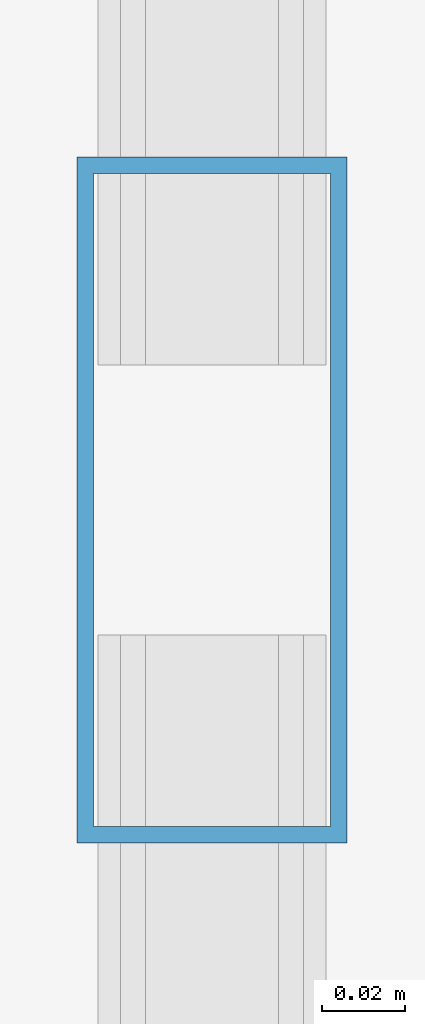
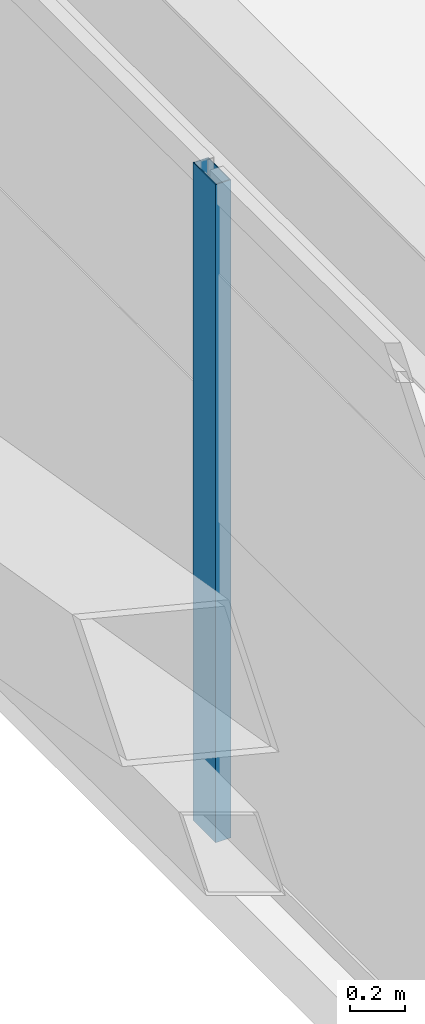
# One storey, part 8 of 58: 1 member, 1 element without a shape of its own.
"""IFC4 building model written with IfcOpenShell, lengths in metres."""

from ifc_helpers import new_model, si_unit, direction, frame, origin, origin_2d, place, context, subcontext, project, spatial, hollow_rectangle, extrude, source, transform, mapped, material, layer, layer_set, material_profile, profile_set, type_object, element, aggregate, save


model = new_model("IFC4")

# Units and contexts
model_context = context("Model", 3, precision=1e-05, world=origin(), true_north=direction((0.0, 1.0)))
body_context = subcontext(model_context, "Body", "Model", "MODEL_VIEW")
ifc_project = project(units=[si_unit("LENGTHUNIT", "METRE"), si_unit("AREAUNIT", "SQUARE_METRE"), si_unit("VOLUMEUNIT", "CUBIC_METRE"), si_unit("PLANEANGLEUNIT", "RADIAN"), si_unit("MASSUNIT", "GRAM", prefix="KILO")], contexts=[model_context])

# Site, building, storey
site_placement = place(None, origin())
site = spatial("IfcSite", under=ifc_project, at=site_placement, CompositionType="ELEMENT")
building_placement = place(site_placement, origin())
building = spatial("IfcBuilding", under=site, at=building_placement, Name="Taldren Reach Tower", CompositionType="ELEMENT")
storey_placement = place(building_placement, frame((0.0, 0.0, 51.449951171875)))
storey = spatial("IfcBuildingStorey", under=building, at=storey_placement, Name="L15", CompositionType="ELEMENT", Elevation=51.449951171875)

# Curtain wall, member
ifc_material_1 = material(Name="Aluminium and Low-E Glass Unitised System", Category="aluminium")
ifc_layer = layer(ifc_material_1, 0.159912109375)
ifc_layer_set = layer_set([ifc_layer], Name="Aluminium and Low-E Glass Unitised System")
curtain_wall_type = type_object("IfcCurtainWallType", Name="CW-SYS-2", PredefinedType="NOTDEFINED", material=ifc_layer_set)
curtain_wall_placement = place(storey_placement, origin())
curtain_wall = element("IfcCurtainWall", 1, at=curtain_wall_placement, inside=storey, type_object=curtain_wall_type, Name="Unitised curtain wall CW-L15-W", PredefinedType="NOTDEFINED")
ifc_material_2 = material(Name="Anodised Aluminium 6063-T6", Category="aluminium")
ifc_material_profile = material_profile(ifc_material_2, hollow_rectangle(XDim=0.06494140625, YDim=0.1650390625, WallThickness=0.00390625, at=origin_2d()), Name="ALU-165x65x4RHS")
ifc_profile_set = profile_set([ifc_material_profile], Name="Anodised Aluminium 6063-T6")
member_type = type_object("IfcMemberType", Name="CW-MUL-165", PredefinedType="MULLION", material=ifc_profile_set)
shared_shape = source(origin(), body_context, "Body", "SweptSolid", [
    extrude(hollow_rectangle(XDim=0.06494140625, YDim=0.1650390625, WallThickness=0.00390625, at=origin_2d()), origin(), (0.0, 0.0, 1.0), 2.929931640625),
])
member_placement = place(storey_placement, frame((5.139892578125, 11.388916015625, 0.0), z_axis=(0.0, 0.0, 1.0), x_axis=(1.0, 0.0, 0.0)))
member = element("IfcMember", 2, at=member_placement, type_object=member_type, Name="CW-2 mullion 8", PredefinedType="MULLION", context=body_context, shape_type="MappedRepresentation", body=[
    mapped(shared_shape, transform((0.0, 0.0, 0.0), scale=1.0)),
])
aggregate(curtain_wall, [member])

save(model, "model.ifc")
